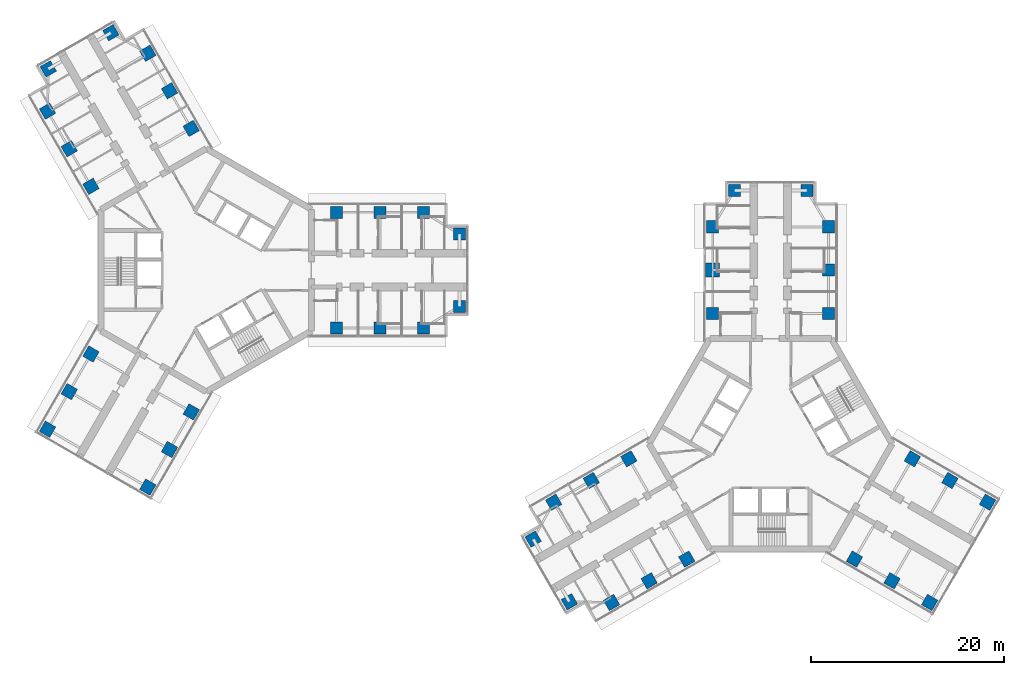
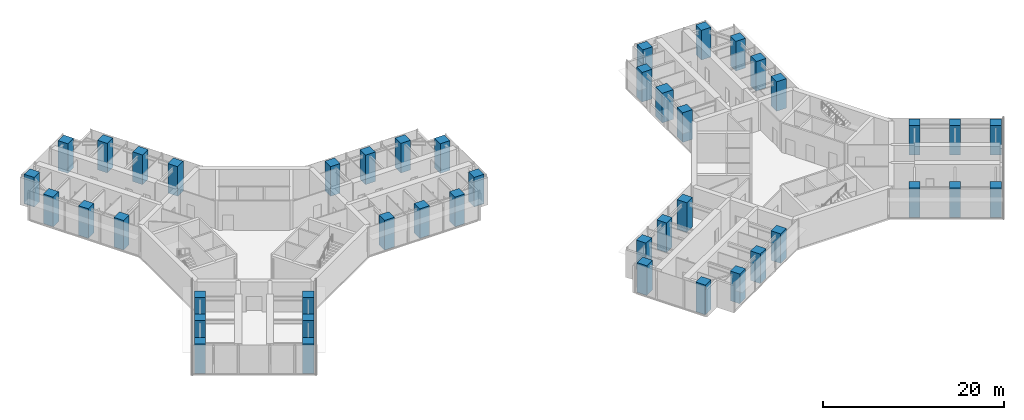
# One storey, part 1 of 23: 44 columns.
"""IFC4 building model written with IfcOpenShell, lengths in metres."""

from ifc_helpers import new_model, si_unit, direction, frame, origin, origin_2d, place, context, subcontext, project, spatial, rectangle, extrude, material, material_profile, profile_set, type_object, element, save


model = new_model("IFC4")

# Units and contexts
model_context = context("Model", 3, precision=1e-05, world=origin(), true_north=direction((0.0, 1.0)))
body_context = subcontext(model_context, "Body", "Model", "MODEL_VIEW")
ifc_project = project(units=[si_unit("LENGTHUNIT", "METRE"), si_unit("AREAUNIT", "SQUARE_METRE"), si_unit("VOLUMEUNIT", "CUBIC_METRE"), si_unit("PLANEANGLEUNIT", "RADIAN"), si_unit("MASSUNIT", "GRAM", prefix="KILO")], contexts=[model_context])

# Site, building, storey
site_placement = place(None, origin())
site = spatial("IfcSite", under=ifc_project, at=site_placement, CompositionType="ELEMENT")
building_placement = place(site_placement, origin())
building = spatial("IfcBuilding", under=site, at=building_placement, Name="Upepo Twin Towers", CompositionType="ELEMENT")
storey_placement = place(building_placement, frame((0.0, 0.0, 161.5)))
storey = spatial("IfcBuildingStorey", under=building, at=storey_placement, Name="L39", CompositionType="ELEMENT", Elevation=161.5)

# Columns
ifc_material_1 = material(Name="Concrete C60/75", Category="concrete")
ifc_material_profile_1 = material_profile(ifc_material_1, rectangle(XDim=1.25, YDim=1.25, at=origin_2d()), Name="RC 1250x1250")
ifc_profile_set_1 = profile_set([ifc_material_profile_1], Name="Concrete C60/75")
column_type_1 = type_object("IfcColumnType", Name="Tower column RC 1250x1250", PredefinedType="COLUMN", material=ifc_profile_set_1)
for number, where, z_axis, x_axis, name in (
    (1, (13.5, 6.0, 0.0), (0.0, 0.0, 1.0), (1.0, 0.0, 0.0), "T1 column AL135"),
    (2, (13.5, -6.0, 0.0), (0.0, 0.0, 1.0), (1.0, 0.0, 0.0), "T1 column AR135"),
    (3, (18.0, 6.0, 0.0), (0.0, 0.0, 1.0), (1.0, 0.0, 0.0), "T1 column AL180"),
    (4, (18.0, -6.0, 0.0), (0.0, 0.0, 1.0), (1.0, 0.0, 0.0), "T1 column AR180"),
    (5, (22.5, 6.0, 0.0), (0.0, 0.0, 1.0), (1.0, 0.0, 0.0), "T1 column AL225"),
    (6, (22.5, -6.0, 0.0), (0.0, 0.0, 1.0), (1.0, 0.0, 0.0), "T1 column AR225"),
    (7, (26.25, 3.75, 0.0), (0.0, 0.0, 1.0), (1.0, 0.0, 0.0), "T1 column ALN"),
    (8, (26.25, -3.75, 0.0), (0.0, 0.0, 1.0), (1.0, 0.0, 0.0), "T1 column ARN"),
    (9, (-11.946044921875, 8.69140625, 0.0), (0.0, 0.0, 1.0), (0.866025403784, 0.5, 0.0), "T1 column BL135"),
    (10, (-1.553955078125, 14.69140625, 0.0), (0.0, 0.0, 1.0), (0.866025403784, 0.5, 0.0), "T1 column BR135"),
    (11, (-14.196044921875, 12.58837890625, 0.0), (0.0, 0.0, 1.0), (0.866025403784, 0.5, 0.0), "T1 column BL180"),
    (12, (-3.803955078125, 18.58837890625, 0.0), (0.0, 0.0, 1.0), (0.866025403784, 0.5, 0.0), "T1 column BR180"),
    (13, (-16.446044921875, 16.485595703125, 0.0), (0.0, 0.0, 1.0), (0.866025403784, 0.5, 0.0), "T1 column BL225"),
    (14, (-6.053955078125, 22.485595703125, 0.0), (0.0, 0.0, 1.0), (0.866025403784, 0.5, 0.0), "T1 column BR225"),
    (15, (-16.37255859375, 20.858154296875, 0.0), (0.0, 0.0, 1.0), (0.866025403784, 0.5, 0.0), "T1 column BLN"),
    (16, (-9.87744140625, 24.608154296875, 0.0), (0.0, 0.0, 1.0), (0.866025403784, 0.5, 0.0), "T1 column BRN"),
    (17, (-1.553955078125, -14.69140625, 0.0), (0.0, 0.0, 1.0), (0.5, 0.866025403784, 0.0), "T1 column CL135"),
    (18, (-11.946044921875, -8.69140625, 0.0), (0.0, 0.0, 1.0), (0.5, 0.866025403784, 0.0), "T1 column CR135"),
    (19, (-3.803955078125, -18.58837890625, 0.0), (0.0, 0.0, 1.0), (0.5, 0.866025403784, 0.0), "T1 column CL180"),
    (20, (-14.196044921875, -12.58837890625, 0.0), (0.0, 0.0, 1.0), (0.5, 0.866025403784, 0.0), "T1 column CR180"),
    (21, (-6.053955078125, -22.485595703125, 0.0), (0.0, 0.0, 1.0), (0.5, 0.866025403784, 0.0), "T1 column CL225"),
    (22, (-16.446044921875, -16.485595703125, 0.0), (0.0, 0.0, 1.0), (0.5, 0.866025403784, 0.0), "T1 column CR225"),
    (23, (52.5, -4.5, 0.0), (0.0, 0.0, 1.0), (1.0, 0.0, 0.0), "T2 column AL135"),
    (24, (64.5, -4.5, 0.0), (0.0, 0.0, 1.0), (1.0, 0.0, 0.0), "T2 column AR135"),
    (25, (64.5, 0.0, 0.0), (0.0, 0.0, 1.0), (1.0, 0.0, 0.0), "T2 column AR180"),
    (26, (52.5, 4.5, 0.0), (0.0, 0.0, 1.0), (1.0, 0.0, 0.0), "T2 column AL225"),
    (27, (64.5, 4.5, 0.0), (0.0, 0.0, 1.0), (1.0, 0.0, 0.0), "T2 column AR225"),
    (28, (54.75, 8.25, 0.0), (0.0, 0.0, 1.0), (1.0, 0.0, 0.0), "T2 column ALN"),
    (29, (62.25, 8.25, 0.0), (0.0, 0.0, 1.0), (1.0, 0.0, 0.0), "T2 column ARN"),
    (30, (49.80859375, -29.946044921875, 0.0), (0.0, 0.0, 1.0), (0.866025403784, 0.5, 0.0), "T2 column BL135"),
    (31, (43.80859375, -19.553955078125, 0.0), (0.0, 0.0, 1.0), (0.866025403784, 0.5, 0.0), "T2 column BR135"),
    (32, (45.91162109375, -32.196044921875, 0.0), (0.0, 0.0, 1.0), (0.866025403784, 0.5, 0.0), "T2 column BL180"),
    (33, (39.91162109375, -21.803955078125, 0.0), (0.0, 0.0, 1.0), (0.866025403784, 0.5, 0.0), "T2 column BR180"),
    (34, (42.014404296875, -34.446044921875, 0.0), (0.0, 0.0, 1.0), (0.866025403784, 0.5, 0.0), "T2 column BL225"),
    (35, (36.014404296875, -24.053955078125, 0.0), (0.0, 0.0, 1.0), (0.866025403784, 0.5, 0.0), "T2 column BR225"),
    (36, (37.641845703125, -34.37255859375, 0.0), (0.0, 0.0, 1.0), (0.866025403784, 0.5, 0.0), "T2 column BLN"),
    (37, (33.891845703125, -27.87744140625, 0.0), (0.0, 0.0, 1.0), (0.866025403784, 0.5, 0.0), "T2 column BRN"),
    (38, (73.19140625, -19.553955078125, 0.0), (0.0, 0.0, 1.0), (0.5, 0.866025403784, 0.0), "T2 column CL135"),
    (39, (67.19140625, -29.946044921875, 0.0), (0.0, 0.0, 1.0), (0.5, 0.866025403784, 0.0), "T2 column CR135"),
    (40, (77.08837890625, -21.803955078125, 0.0), (0.0, 0.0, 1.0), (0.5, 0.866025403784, 0.0), "T2 column CL180"),
    (41, (71.08837890625, -32.196044921875, 0.0), (0.0, 0.0, 1.0), (0.5, 0.866025403784, 0.0), "T2 column CR180"),
    (42, (80.985595703125, -24.053955078125, 0.0), (0.0, 0.0, 1.0), (0.5, 0.866025403784, 0.0), "T2 column CL225"),
    (43, (74.985595703125, -34.446044921875, 0.0), (0.0, 0.0, 1.0), (0.5, 0.866025403784, 0.0), "T2 column CR225"),
):
    element("IfcColumn", number, at=place(storey_placement, frame(where, z_axis=z_axis, x_axis=x_axis)), inside=storey, type_object=column_type_1, Name=name, PredefinedType="COLUMN", context=body_context, shape_type="SweptSolid", body=[
        extrude(rectangle(XDim=1.25, YDim=1.25, at=origin_2d()), origin(), (0.0, 0.0, 1.0), 4.0),
    ])
ifc_material_2 = material(Name="Concrete C60/75", Category="concrete")
ifc_material_profile_2 = material_profile(ifc_material_2, rectangle(XDim=1.449951171875, YDim=1.449951171875, at=origin_2d()), Name="RC 1450x1450")
ifc_profile_set_2 = profile_set([ifc_material_profile_2], Name="Concrete C60/75")
column_type_2 = type_object("IfcColumnType", Name="Tower column RC 1450x1450", PredefinedType="COLUMN", material=ifc_profile_set_2)
column_placement = place(storey_placement, frame((52.5, 0.0, 0.0), z_axis=(0.0, 0.0, 1.0), x_axis=(1.0, 0.0, 0.0)))
element("IfcColumn", 44, at=column_placement, inside=storey, type_object=column_type_2, Name="T2 column AL180", PredefinedType="COLUMN", context=body_context, shape_type="SweptSolid", body=[
    extrude(rectangle(XDim=1.449951171875, YDim=1.449951171875, at=origin_2d()), origin(), (0.0, 0.0, 1.0), 4.0),
])

save(model, "model.ifc")
